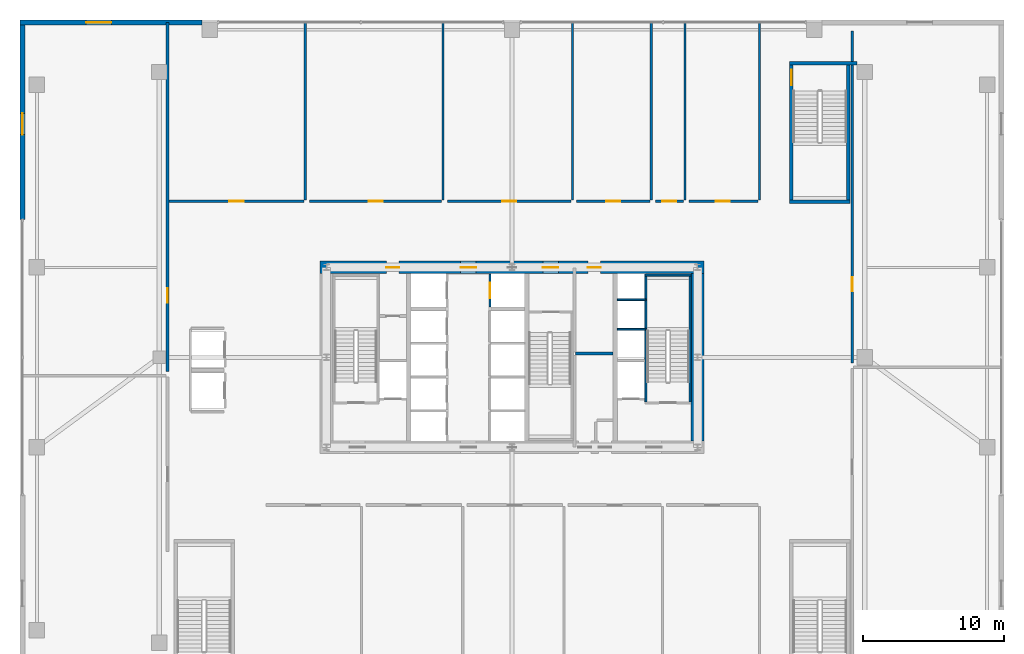
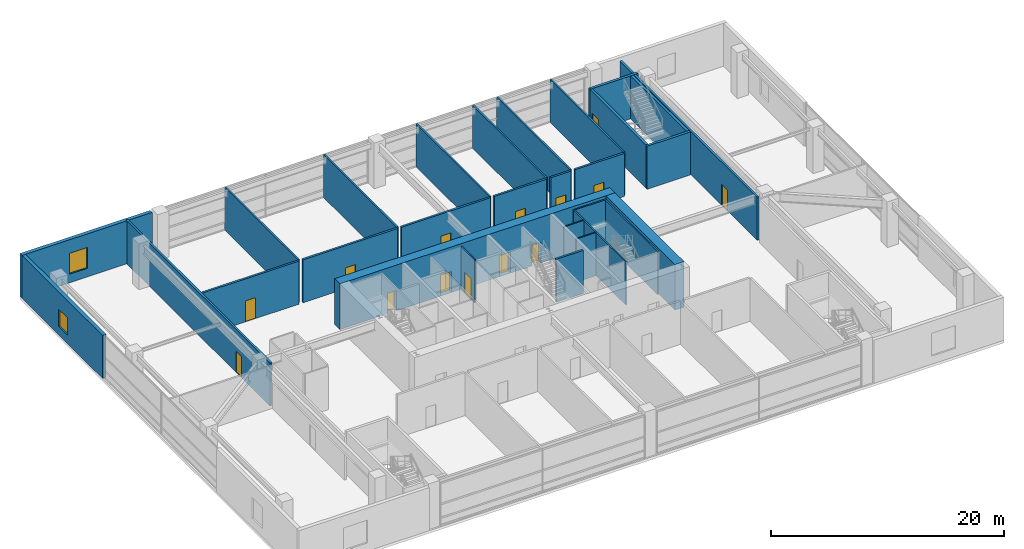
# One storey, part 35 of 39: 29 walls, 14 doors, 2 windows, 16 openings.
"""IFC4 building model written with IfcOpenShell, lengths in metres."""

from ifc_helpers import new_model, si_unit, direction, frame, frame_2d, origin, place, context, subcontext, project, spatial, rectangle, extrude, source, transform, mapped, material, layer, layer_set, type_object, element, fill, save


model = new_model("IFC4")

# Units and contexts
model_context = context("Model", 3, precision=1e-05, world=origin(), true_north=direction((0.0, 1.0)))
body_context = subcontext(model_context, "Body", "Model", "MODEL_VIEW")
ifc_project = project(units=[si_unit("LENGTHUNIT", "METRE"), si_unit("AREAUNIT", "SQUARE_METRE"), si_unit("VOLUMEUNIT", "CUBIC_METRE"), si_unit("PLANEANGLEUNIT", "RADIAN"), si_unit("MASSUNIT", "GRAM", prefix="KILO"), si_unit("THERMODYNAMICTEMPERATUREUNIT", "KELVIN"), si_unit("POWERUNIT", "WATT")], contexts=[model_context])

# Site, building, storey
site_placement = place(None, origin())
site = spatial("IfcSite", under=ifc_project, at=site_placement, CompositionType="ELEMENT")
building_placement = place(site_placement, origin())
building = spatial("IfcBuilding", under=site, at=building_placement, Name="Yuzanri Waterfront Tower", CompositionType="ELEMENT")
storey_placement = place(building_placement, frame((0.0, 0.0, 15.0)))
storey = spatial("IfcBuildingStorey", under=building, at=storey_placement, Name="L04", CompositionType="ELEMENT", Elevation=15.0)

# Wall, openings, doors
ifc_material_1 = material(Name="Concrete C60", Category="concrete")
ifc_layer_1 = layer(ifc_material_1, 0.89990234375)
ifc_layer_set_1 = layer_set([ifc_layer_1], Name="Concrete C60")
wall_type_1 = type_object("IfcWallType", Name="Concrete C60 Lower Zone Core Shear Wall 900", PredefinedType="SHEAR", material=ifc_layer_set_1)
wall_1_placement = place(storey_placement, frame((23.35009765625, 32.199951171875, 0.0), z_axis=(0.0, 0.0, 1.0), x_axis=(1.0, 0.0, 0.0)))
wall_1 = element("IfcWall", 1, at=wall_1_placement, inside=storey, type_object=wall_type_1, Name="L04 Core North Shear Wall", PredefinedType="SHEAR", context=body_context, shape_type="SweptSolid", body=[
    extrude(rectangle(XDim=27.2998046875, YDim=0.89990234375, at=frame_2d((13.64990234375, 0.0))), origin(), (0.0, 0.0, 1.0), 4.800048828125),
])
opening_1_placement = place(wall_1_placement, frame((4.719970703125, 0.0, 0.0)))
opening_1 = element("IfcOpeningElement", 2, at=opening_1_placement, cuts=wall_1, Name="Opening FD-0900", PredefinedType="OPENING", context=body_context, shape_type="SweptSolid", body=[
    extrude(rectangle(XDim=0.89990234375, YDim=2.14990234375, at=frame_2d((0.449951171875, 1.074951171875))), frame((0.0, 0.46484375, 0.0), z_axis=(0.0, -1.0, 0.0), x_axis=(1.0, 0.0, 0.0)), (0.0, 0.0, 1.0), 0.9296875),
])
opening_2_placement = place(wall_1_placement, frame((10.0, 0.0, 0.0)))
opening_2 = element("IfcOpeningElement", 3, at=opening_2_placement, cuts=wall_1, Name="Opening FD-1100", PredefinedType="OPENING", context=body_context, shape_type="SweptSolid", body=[
    extrude(rectangle(XDim=1.10009765625, YDim=2.199951171875, at=frame_2d((0.550048828125, 1.10009765625))), frame((0.0, 0.46484375, 0.0), z_axis=(0.0, -1.0, 0.0), x_axis=(1.0, 0.0, 0.0)), (0.0, 0.0, 1.0), 0.9296875),
])
opening_3_placement = place(wall_1_placement, frame((15.85009765625, 0.0, 0.0)))
opening_3 = element("IfcOpeningElement", 4, at=opening_3_placement, cuts=wall_1, Name="Opening FD-1100", PredefinedType="OPENING", context=body_context, shape_type="SweptSolid", body=[
    extrude(rectangle(XDim=1.10009765625, YDim=2.199951171875, at=frame_2d((0.550048828125, 1.10009765625))), frame((0.0, 0.46484375, 0.0), z_axis=(0.0, -1.0, 0.0), x_axis=(1.0, 0.0, 0.0)), (0.0, 0.0, 1.0), 0.9296875),
])
opening_4_placement = place(wall_1_placement, frame((19.050048828125, 0.0, 0.0)))
opening_4 = element("IfcOpeningElement", 5, at=opening_4_placement, cuts=wall_1, Name="Opening FD-0900", PredefinedType="OPENING", context=body_context, shape_type="SweptSolid", body=[
    extrude(rectangle(XDim=0.89990234375, YDim=2.14990234375, at=frame_2d((0.449951171875, 1.074951171875))), frame((0.0, 0.46484375, 0.0), z_axis=(0.0, -1.0, 0.0), x_axis=(1.0, 0.0, 0.0)), (0.0, 0.0, 1.0), 0.9296875),
])
ifc_material_2 = material(Name="Painted Galvanized Fire Steel", Category="steel")
door_type_1 = type_object("IfcDoorType", Name="Smoke-Proof Stair and Lobby Fire Door 1100x2200", OperationType="NOTDEFINED", PredefinedType="DOOR", material=ifc_material_2)
shared_shape_1 = source(origin(), body_context, "Body", "SweptSolid", [
    extrude(rectangle(XDim=1.10009765625, YDim=2.199951171875, at=frame_2d((0.550048828125, 1.10009765625))), frame((0.0, 0.02490234375, 0.0), z_axis=(0.0, -1.0, 0.0), x_axis=(1.0, 0.0, 0.0)), (0.0, 0.0, 1.0), 0.050048828125),
])
door_1_placement = place(opening_2_placement, origin())
door_1 = element("IfcDoor", 6, at=door_1_placement, inside=storey, type_object=door_type_1, Name="L04 Central Lift Lobby North Door", OperationType="SINGLE_SWING_LEFT", OverallHeight=2.199951171875, OverallWidth=1.10009765625, PredefinedType="DOOR", context=body_context, shape_type="MappedRepresentation", body=[
    mapped(shared_shape_1, transform((0.0, 0.0, 0.0), scale=1.0)),
])
fill(opening_2, door_1)
door_2_placement = place(opening_3_placement, origin())
door_2 = element("IfcDoor", 7, at=door_2_placement, inside=storey, type_object=door_type_1, Name="L04 North Stair Lobby Door", OperationType="SINGLE_SWING_RIGHT", OverallHeight=2.199951171875, OverallWidth=1.10009765625, PredefinedType="DOOR", context=body_context, shape_type="MappedRepresentation", body=[
    mapped(shared_shape_1, transform((0.0, 0.0, 0.0), scale=1.0)),
])
fill(opening_3, door_2)
ifc_material_3 = material(Name="Painted Galvanized Fire Steel", Category="steel")
door_type_2 = type_object("IfcDoorType", Name="Riser and Service Room Fire Door 900x2150", OperationType="NOTDEFINED", PredefinedType="DOOR", material=ifc_material_3)
shared_shape_2 = source(origin(), body_context, "Body", "SweptSolid", [
    extrude(rectangle(XDim=0.89990234375, YDim=2.14990234375, at=frame_2d((0.449951171875, 1.074951171875))), frame((0.0, 0.02490234375, 0.0), z_axis=(0.0, -1.0, 0.0), x_axis=(1.0, 0.0, 0.0)), (0.0, 0.0, 1.0), 0.050048828125),
])
door_3_placement = place(opening_1_placement, origin())
door_3 = element("IfcDoor", 8, at=door_3_placement, inside=storey, type_object=door_type_2, Name="L04 Telecom Riser Door", OperationType="SINGLE_SWING_RIGHT", OverallHeight=2.14990234375, OverallWidth=0.89990234375, PredefinedType="DOOR", context=body_context, shape_type="MappedRepresentation", body=[
    mapped(shared_shape_2, transform((0.0, 0.0, 0.0), scale=1.0)),
])
fill(opening_1, door_3)
door_4_placement = place(opening_4_placement, origin())
door_4 = element("IfcDoor", 9, at=door_4_placement, inside=storey, type_object=door_type_2, Name="L04 Cleaners Store Room", OperationType="SINGLE_SWING_RIGHT", OverallHeight=2.14990234375, OverallWidth=0.89990234375, PredefinedType="DOOR", context=body_context, shape_type="MappedRepresentation", body=[
    mapped(shared_shape_2, transform((0.0, 0.0, 0.0), scale=1.0)),
])
fill(opening_4, door_4)

# Wall, opening, door
ifc_material_4 = material(Name="Concrete C40", Category="concrete")
ifc_layer_2 = layer(ifc_material_4, 0.139892578125)
ifc_layer_set_2 = layer_set([ifc_layer_2], Name="Concrete C40")
wall_type_2 = type_object("IfcWallType", Name="Core Stair Liner and Hoistway Shaft Wall 140", PredefinedType="SOLIDWALL", material=ifc_layer_set_2)
wall_2_placement = place(storey_placement, frame((35.429931640625, 29.39990234375, 0.0), z_axis=(0.0, 0.0, 1.0), x_axis=(0.0, 1.0, 0.0)))
wall_2 = element("IfcWall", 10, at=wall_2_placement, inside=storey, type_object=wall_type_2, Name="L04 Lift SL-02 Front Shaft Wall", PredefinedType="SOLIDWALL", context=body_context, shape_type="SweptSolid", body=[
    extrude(rectangle(XDim=2.340087890625, YDim=0.139892578125, at=frame_2d((1.169921875, 0.0))), origin(), (0.0, 0.0, 1.0), 4.52001953125),
])
opening_5_placement = place(wall_2_placement, frame((0.6201171875, 0.0, 0.0)))
opening_5 = element("IfcOpeningElement", 11, at=opening_5_placement, cuts=wall_2, Name="Opening LD-SL-02", PredefinedType="OPENING", context=body_context, shape_type="SweptSolid", body=[
    extrude(rectangle(XDim=1.10009765625, YDim=2.199951171875, at=frame_2d((0.550048828125, 1.10009765625))), frame((0.0, 0.0849609375, 0.0), z_axis=(0.0, -1.0, 0.0), x_axis=(1.0, 0.0, 0.0)), (0.0, 0.0, 1.0), 0.169677734375),
])
ifc_material_5 = material(Name="Brushed Bronze and Stainless Steel Cab", Category="steel")
door_type_3 = type_object("IfcDoorType", Name="Center-Parting Bronze Lift Landing Sliding Door 1100x2200", OperationType="NOTDEFINED", PredefinedType="DOOR", material=ifc_material_5)
shared_shape_3 = source(origin(), body_context, "Body", "SweptSolid", [
    extrude(rectangle(XDim=1.10009765625, YDim=2.199951171875, at=frame_2d((0.550048828125, 1.10009765625))), frame((0.0, 0.02490234375, 0.0), z_axis=(0.0, -1.0, 0.0), x_axis=(1.0, 0.0, 0.0)), (0.0, 0.0, 1.0), 0.050048828125),
])
door_5_placement = place(opening_5_placement, origin())
door_5 = element("IfcDoor", 12, at=door_5_placement, inside=storey, type_object=door_type_3, Name="L04 SL-02 Lift Landing Sliding Door", OperationType="SLIDING_TO_RIGHT", OverallHeight=2.199951171875, OverallWidth=1.10009765625, PredefinedType="DOOR", context=body_context, shape_type="MappedRepresentation", body=[
    mapped(shared_shape_3, transform((0.0, 0.0, 0.0), scale=1.0)),
])
fill(opening_5, door_5)

ifc_material_6 = material(Name="Autoclaved Aerated Concrete Blockwork", Category="masonry")
ifc_layer_3 = layer(ifc_material_6, 0.199951171875)
ifc_layer_set_3 = layer_set([ifc_layer_3], Name="Autoclaved Aerated Concrete Blockwork")
wall_type_3 = type_object("IfcWallType", Name="Corridor and Unit Party Fire Wall 200", PredefinedType="PARTITIONING", material=ifc_layer_set_3)
wall_3_placement = place(storey_placement, frame((12.5, 24.800048828125, 0.0), z_axis=(0.0, 0.0, 1.0), x_axis=(0.0, 1.0, 0.0)))
wall_3 = element("IfcWall", 13, at=wall_3_placement, inside=storey, type_object=wall_type_3, Name="L04 Partition PRW-L04-032-E", PredefinedType="PARTITIONING", context=body_context, shape_type="SweptSolid", body=[
    extrude(rectangle(XDim=24.820068359375, YDim=0.199951171875, at=frame_2d((12.41015625, 0.0))), origin(), (0.0, 0.0, 1.0), 4.52001953125),
])
opening_6_placement = place(wall_3_placement, frame((4.89990234375, 0.0, 0.0)))
opening_6 = element("IfcOpeningElement", 14, at=opening_6_placement, cuts=wall_3, Name="Opening FD-1000", PredefinedType="OPENING", context=body_context, shape_type="SweptSolid", body=[
    extrude(rectangle(XDim=1.0, YDim=2.199951171875, at=frame_2d((0.5, 1.10009765625))), frame((0.0, 0.11474609375, 0.0), z_axis=(0.0, -1.0, 0.0), x_axis=(1.0, 0.0, 0.0)), (0.0, 0.0, 1.0), 0.229736328125),
])
ifc_material_7 = material(Name="Engineered Oak Fire-Rated Timber", Category="wood")
door_type_4 = type_object("IfcDoorType", Name="Guestroom and Apartment Entrance Fire Door 1000x2200", OperationType="NOTDEFINED", PredefinedType="DOOR", material=ifc_material_7)
shared_shape_4 = source(origin(), body_context, "Body", "SweptSolid", [
    extrude(rectangle(XDim=1.0, YDim=2.199951171875, at=frame_2d((0.5, 1.10009765625))), frame((0.0, 0.02490234375, 0.0), z_axis=(0.0, -1.0, 0.0), x_axis=(1.0, 0.0, 0.0)), (0.0, 0.0, 1.0), 0.050048828125),
])
door_6_placement = place(opening_6_placement, origin())
door_6 = element("IfcDoor", 15, at=door_6_placement, inside=storey, type_object=door_type_4, Name="L04 Thermal Spa Club Room", OperationType="SINGLE_SWING_LEFT", OverallHeight=2.199951171875, OverallWidth=1.0, PredefinedType="DOOR", context=body_context, shape_type="MappedRepresentation", body=[
    mapped(shared_shape_4, transform((0.0, 0.0, 0.0), scale=1.0)),
])
fill(opening_6, door_6)

wall_4_placement = place(storey_placement, frame((61.199951171875, 25.39990234375, 0.0), z_axis=(0.0, 0.0, 1.0), x_axis=(0.0, 1.0, 0.0)))
wall_4 = element("IfcWall", 16, at=wall_4_placement, inside=storey, type_object=wall_type_3, Name="L04 Partition PRW-L04-034-W", PredefinedType="PARTITIONING", context=body_context, shape_type="SweptSolid", body=[
    extrude(rectangle(XDim=23.60009765625, YDim=0.199951171875, at=frame_2d((11.800048828125, 0.0))), origin(), (0.0, 0.0, 1.0), 4.52001953125),
])
opening_7_placement = place(wall_4_placement, frame((5.10009765625, 0.0, 0.0)))
opening_7 = element("IfcOpeningElement", 17, at=opening_7_placement, cuts=wall_4, Name="Opening FD-1000", PredefinedType="OPENING", context=body_context, shape_type="SweptSolid", body=[
    extrude(rectangle(XDim=1.0, YDim=2.199951171875, at=frame_2d((0.5, 1.10009765625))), frame((0.0, 0.11474609375, 0.0), z_axis=(0.0, -1.0, 0.0), x_axis=(1.0, 0.0, 0.0)), (0.0, 0.0, 1.0), 0.229736328125),
])
door_7_placement = place(opening_7_placement, origin())
door_7 = element("IfcDoor", 18, at=door_7_placement, inside=storey, type_object=door_type_4, Name="L04 Cardio Fitness Gymnasium", OperationType="SINGLE_SWING_LEFT", OverallHeight=2.199951171875, OverallWidth=1.0, PredefinedType="DOOR", context=body_context, shape_type="MappedRepresentation", body=[
    mapped(shared_shape_4, transform((0.0, 0.0, 0.0), scale=1.0)),
])
fill(opening_7, door_7)

wall_5_placement = place(storey_placement, frame((12.60009765625, 36.89990234375, 0.0), z_axis=(0.0, 0.0, 1.0), x_axis=(1.0, 0.0, 0.0)))
wall_5 = element("IfcWall", 19, at=wall_5_placement, inside=storey, type_object=wall_type_3, Name="L04 Partition PRW-L04-035-S", PredefinedType="PARTITIONING", context=body_context, shape_type="SweptSolid", body=[
    extrude(rectangle(XDim=9.599853515625, YDim=0.199951171875, at=frame_2d((4.7998046875, 0.0))), origin(), (0.0, 0.0, 1.0), 4.52001953125),
])
opening_8_placement = place(wall_5_placement, frame((4.300048828125, 0.0, 0.0)))
opening_8 = element("IfcOpeningElement", 20, at=opening_8_placement, cuts=wall_5, Name="Opening FD-1000", PredefinedType="OPENING", context=body_context, shape_type="SweptSolid", body=[
    extrude(rectangle(XDim=1.0, YDim=2.199951171875, at=frame_2d((0.5, 1.10009765625))), frame((0.0, 0.11474609375, 0.0), z_axis=(0.0, -1.0, 0.0), x_axis=(1.0, 0.0, 0.0)), (0.0, 0.0, 1.0), 0.229736328125),
])
door_8_placement = place(opening_8_placement, origin())
door_8 = element("IfcDoor", 21, at=door_8_placement, inside=storey, type_object=door_type_4, Name="L04 Botanical Massage Treatment Room 1", OperationType="SINGLE_SWING_RIGHT", OverallHeight=2.199951171875, OverallWidth=1.0, PredefinedType="DOOR", context=body_context, shape_type="MappedRepresentation", body=[
    mapped(shared_shape_4, transform((0.0, 0.0, 0.0), scale=1.0)),
])
fill(opening_8, door_8)

wall_6_placement = place(storey_placement, frame((22.60009765625, 36.89990234375, 0.0), z_axis=(0.0, 0.0, 1.0), x_axis=(1.0, 0.0, 0.0)))
wall_6 = element("IfcWall", 22, at=wall_6_placement, inside=storey, type_object=wall_type_3, Name="L04 Partition PRW-L04-036-S", PredefinedType="PARTITIONING", context=body_context, shape_type="SweptSolid", body=[
    extrude(rectangle(XDim=9.39990234375, YDim=0.199951171875, at=frame_2d((4.699951171875, 0.0))), origin(), (0.0, 0.0, 1.0), 4.52001953125),
])
opening_9_placement = place(wall_6_placement, frame((4.199951171875, 0.0, 0.0)))
opening_9 = element("IfcOpeningElement", 23, at=opening_9_placement, cuts=wall_6, Name="Opening FD-1000", PredefinedType="OPENING", context=body_context, shape_type="SweptSolid", body=[
    extrude(rectangle(XDim=1.0, YDim=2.199951171875, at=frame_2d((0.5, 1.10009765625))), frame((0.0, 0.11474609375, 0.0), z_axis=(0.0, -1.0, 0.0), x_axis=(1.0, 0.0, 0.0)), (0.0, 0.0, 1.0), 0.229736328125),
])
door_9_placement = place(opening_9_placement, origin())
door_9 = element("IfcDoor", 24, at=door_9_placement, inside=storey, type_object=door_type_4, Name="L04 Botanical Massage Treatment Room 2", OperationType="SINGLE_SWING_LEFT", OverallHeight=2.199951171875, OverallWidth=1.0, PredefinedType="DOOR", context=body_context, shape_type="MappedRepresentation", body=[
    mapped(shared_shape_4, transform((0.0, 0.0, 0.0), scale=1.0)),
])
fill(opening_9, door_9)

wall_7_placement = place(storey_placement, frame((32.39990234375, 36.89990234375, 0.0), z_axis=(0.0, 0.0, 1.0), x_axis=(1.0, 0.0, 0.0)))
wall_7 = element("IfcWall", 25, at=wall_7_placement, inside=storey, type_object=wall_type_3, Name="L04 Partition PRW-L04-037-S", PredefinedType="PARTITIONING", context=body_context, shape_type="SweptSolid", body=[
    extrude(rectangle(XDim=8.800048828125, YDim=0.199951171875, at=frame_2d((4.39990234375, 0.0))), origin(), (0.0, 0.0, 1.0), 4.52001953125),
])
opening_10_placement = place(wall_7_placement, frame((3.89990234375, 0.0, 0.0)))
opening_10 = element("IfcOpeningElement", 26, at=opening_10_placement, cuts=wall_7, Name="Opening FD-1000", PredefinedType="OPENING", context=body_context, shape_type="SweptSolid", body=[
    extrude(rectangle(XDim=1.0, YDim=2.199951171875, at=frame_2d((0.5, 1.10009765625))), frame((0.0, 0.11474609375, 0.0), z_axis=(0.0, -1.0, 0.0), x_axis=(1.0, 0.0, 0.0)), (0.0, 0.0, 1.0), 0.229736328125),
])
door_10_placement = place(opening_10_placement, origin())
door_10 = element("IfcDoor", 27, at=door_10_placement, inside=storey, type_object=door_type_4, Name="L04 Acupressure Treatment Room 3", OperationType="SINGLE_SWING_RIGHT", OverallHeight=2.199951171875, OverallWidth=1.0, PredefinedType="DOOR", context=body_context, shape_type="MappedRepresentation", body=[
    mapped(shared_shape_4, transform((0.0, 0.0, 0.0), scale=1.0)),
])
fill(opening_10, door_10)

wall_8_placement = place(storey_placement, frame((41.60009765625, 36.89990234375, 0.0), z_axis=(0.0, 0.0, 1.0), x_axis=(1.0, 0.0, 0.0)))
wall_8 = element("IfcWall", 28, at=wall_8_placement, inside=storey, type_object=wall_type_3, Name="L04 Partition PRW-L04-038-S", PredefinedType="PARTITIONING", context=body_context, shape_type="SweptSolid", body=[
    extrude(rectangle(XDim=5.199951171875, YDim=0.199951171875, at=frame_2d((2.60009765625, 0.0))), origin(), (0.0, 0.0, 1.0), 4.52001953125),
])
opening_11_placement = place(wall_8_placement, frame((2.10009765625, 0.0, 0.0)))
opening_11 = element("IfcOpeningElement", 29, at=opening_11_placement, cuts=wall_8, Name="Opening FD-1000", PredefinedType="OPENING", context=body_context, shape_type="SweptSolid", body=[
    extrude(rectangle(XDim=1.0, YDim=2.199951171875, at=frame_2d((0.5, 1.10009765625))), frame((0.0, 0.11474609375, 0.0), z_axis=(0.0, -1.0, 0.0), x_axis=(1.0, 0.0, 0.0)), (0.0, 0.0, 1.0), 0.229736328125),
])
door_11_placement = place(opening_11_placement, origin())
door_11 = element("IfcDoor", 30, at=door_11_placement, inside=storey, type_object=door_type_4, Name="L04 Public Restroom", OperationType="SINGLE_SWING_LEFT", OverallHeight=2.199951171875, OverallWidth=1.0, PredefinedType="DOOR", context=body_context, shape_type="MappedRepresentation", body=[
    mapped(shared_shape_4, transform((0.0, 0.0, 0.0), scale=1.0)),
])
fill(opening_11, door_11)

wall_9_placement = place(storey_placement, frame((47.199951171875, 36.89990234375, 0.0), z_axis=(0.0, 0.0, 1.0), x_axis=(1.0, 0.0, 0.0)))
wall_9 = element("IfcWall", 31, at=wall_9_placement, inside=storey, type_object=wall_type_3, Name="L04 Partition PRW-L04-039-S", PredefinedType="PARTITIONING", context=body_context, shape_type="SweptSolid", body=[
    extrude(rectangle(XDim=2.0, YDim=0.199951171875, at=frame_2d((1.0, 0.0))), origin(), (0.0, 0.0, 1.0), 4.52001953125),
])
opening_12_placement = place(wall_9_placement, frame((0.5, 0.0, 0.0)))
opening_12 = element("IfcOpeningElement", 32, at=opening_12_placement, cuts=wall_9, Name="Opening FD-1000", PredefinedType="OPENING", context=body_context, shape_type="SweptSolid", body=[
    extrude(rectangle(XDim=1.0, YDim=2.199951171875, at=frame_2d((0.5, 1.10009765625))), frame((0.0, 0.11474609375, 0.0), z_axis=(0.0, -1.0, 0.0), x_axis=(1.0, 0.0, 0.0)), (0.0, 0.0, 1.0), 0.229736328125),
])
door_12_placement = place(opening_12_placement, origin())
door_12 = element("IfcDoor", 33, at=door_12_placement, inside=storey, type_object=door_type_4, Name="L04 Accessible WC", OperationType="SINGLE_SWING_RIGHT", OverallHeight=2.199951171875, OverallWidth=1.0, PredefinedType="DOOR", context=body_context, shape_type="MappedRepresentation", body=[
    mapped(shared_shape_4, transform((0.0, 0.0, 0.0), scale=1.0)),
])
fill(opening_12, door_12)

wall_10_placement = place(storey_placement, frame((49.60009765625, 36.89990234375, 0.0), z_axis=(0.0, 0.0, 1.0), x_axis=(1.0, 0.0, 0.0)))
wall_10 = element("IfcWall", 34, at=wall_10_placement, inside=storey, type_object=wall_type_3, Name="L04 Partition PRW-L04-040-S", PredefinedType="PARTITIONING", context=body_context, shape_type="SweptSolid", body=[
    extrude(rectangle(XDim=4.89990234375, YDim=0.199951171875, at=frame_2d((2.449951171875, 0.0))), origin(), (0.0, 0.0, 1.0), 4.52001953125),
])
opening_13_placement = place(wall_10_placement, frame((1.89990234375, 0.0, 0.0)))
opening_13 = element("IfcOpeningElement", 35, at=opening_13_placement, cuts=wall_10, Name="Opening FD-1000", PredefinedType="OPENING", context=body_context, shape_type="SweptSolid", body=[
    extrude(rectangle(XDim=1.0, YDim=2.199951171875, at=frame_2d((0.5, 1.10009765625))), frame((0.0, 0.11474609375, 0.0), z_axis=(0.0, -1.0, 0.0), x_axis=(1.0, 0.0, 0.0)), (0.0, 0.0, 1.0), 0.229736328125),
])
door_13_placement = place(opening_13_placement, origin())
door_13 = element("IfcDoor", 36, at=door_13_placement, inside=storey, type_object=door_type_4, Name="L04 Spa Linen Store", OperationType="SINGLE_SWING_LEFT", OverallHeight=2.199951171875, OverallWidth=1.0, PredefinedType="DOOR", context=body_context, shape_type="MappedRepresentation", body=[
    mapped(shared_shape_4, transform((0.0, 0.0, 0.0), scale=1.0)),
])
fill(opening_13, door_13)

# Wall, opening, window
ifc_material_8 = material(Name="Honed Chongqing Dark Basalt Stone", Category="masonry")
ifc_layer_4 = layer(ifc_material_8, 0.360107421875)
ifc_layer_set_4 = layer_set([ifc_layer_4], Name="Honed Chongqing Dark Basalt Stone")
wall_type_4 = type_object("IfcWallType", Name="Honed Basalt Stone Masonry-Frame Spandrel Wall 360", PredefinedType="SOLIDWALL", material=ifc_layer_set_4)
wall_11_placement = place(storey_placement, frame((2.0, 49.6201171875, 0.0), z_axis=(0.0, 0.0, 1.0), x_axis=(1.0, 0.0, 0.0)))
wall_11 = element("IfcWall", 37, at=wall_11_placement, inside=storey, type_object=wall_type_4, Name="L04 North-West Basalt Wall", PredefinedType="SOLIDWALL", context=body_context, shape_type="SweptSolid", body=[
    extrude(rectangle(XDim=12.929931640625, YDim=0.360107421875, at=frame_2d((6.46484375, 0.0))), origin(), (0.0, 0.0, 1.0), 4.52001953125),
])
opening_14_placement = place(wall_11_placement, frame((4.699951171875, 0.0, 0.89990234375)))
opening_14 = element("IfcOpeningElement", 38, at=opening_14_placement, cuts=wall_11, Name="Opening WN-01", PredefinedType="OPENING", context=body_context, shape_type="SweptSolid", body=[
    extrude(rectangle(XDim=1.800048828125, YDim=2.199951171875, at=frame_2d((0.89990234375, 1.10009765625))), frame((0.0, 0.19482421875, 0.0), z_axis=(0.0, -1.0, 0.0), x_axis=(1.0, 0.0, 0.0)), (0.0, 0.0, 1.0), 0.389892578125),
])
ifc_material_9 = material(Name="Double-Silver Low-E Insulated Glass", Category="glass")
window_type_1 = type_object("IfcWindowType", Name="Anodized Bronze Recessed Bronze Frame Double Casement Window 1800x2200", PartitioningType="SINGLE_PANEL", PredefinedType="WINDOW", material=ifc_material_9)
shared_shape_5 = source(origin(), body_context, "Body", "SweptSolid", [
    extrude(rectangle(XDim=1.800048828125, YDim=2.199951171875, at=frame_2d((0.89990234375, 1.10009765625))), frame((0.0, 0.030029296875, 0.0), z_axis=(0.0, -1.0, 0.0), x_axis=(1.0, 0.0, 0.0)), (0.0, 0.0, 1.0), 0.06005859375),
])
window_1_placement = place(opening_14_placement, origin())
window_1 = element("IfcWindow", 39, at=window_1_placement, inside=storey, type_object=window_type_1, Name="L04 NW Casement Window", OverallHeight=2.199951171875, OverallWidth=1.800048828125, PartitioningType="SINGLE_PANEL", PredefinedType="WINDOW", context=body_context, shape_type="MappedRepresentation", body=[
    mapped(shared_shape_5, transform((0.0, 0.0, 0.0), scale=1.0)),
])
fill(opening_14, window_1)

wall_12_placement = place(storey_placement, frame((2.179931640625, 35.60009765625, 0.0), z_axis=(0.0, 0.0, 1.0), x_axis=(0.0, 1.0, 0.0)))
wall_12 = element("IfcWall", 40, at=wall_12_placement, inside=storey, type_object=wall_type_4, Name="L04 W North Basalt Pier", PredefinedType="SOLIDWALL", context=body_context, shape_type="SweptSolid", body=[
    extrude(rectangle(XDim=13.83984375, YDim=0.360107421875, at=frame_2d((6.919921875, 0.0))), origin(), (0.0, 0.0, 1.0), 4.52001953125),
])
opening_15_placement = place(wall_12_placement, frame((6.050048828125, 0.0, 0.89990234375)))
opening_15 = element("IfcOpeningElement", 41, at=opening_15_placement, cuts=wall_12, Name="Opening WN-04", PredefinedType="OPENING", context=body_context, shape_type="SweptSolid", body=[
    extrude(rectangle(XDim=1.5, YDim=1.800048828125, at=frame_2d((0.75, 0.89990234375))), frame((0.0, 0.19482421875, 0.0), z_axis=(0.0, -1.0, 0.0), x_axis=(1.0, 0.0, 0.0)), (0.0, 0.0, 1.0), 0.389892578125),
])
ifc_material_10 = material(Name="Double-Silver Low-E Insulated Glass", Category="glass")
window_type_2 = type_object("IfcWindowType", Name="Anodized Bronze Suite Operable Tilt-Turn Window 1500x1800", PartitioningType="SINGLE_PANEL", PredefinedType="WINDOW", material=ifc_material_10)
shared_shape_6 = source(origin(), body_context, "Body", "SweptSolid", [
    extrude(rectangle(XDim=1.5, YDim=1.800048828125, at=frame_2d((0.75, 0.89990234375))), frame((0.0, 0.030029296875, 0.0), z_axis=(0.0, -1.0, 0.0), x_axis=(1.0, 0.0, 0.0)), (0.0, 0.0, 1.0), 0.06005859375),
])
window_2_placement = place(opening_15_placement, origin())
window_2 = element("IfcWindow", 42, at=window_2_placement, inside=storey, type_object=window_type_2, Name="L04 WN Window", OverallHeight=1.800048828125, OverallWidth=1.5, PartitioningType="SINGLE_PANEL", PredefinedType="WINDOW", context=body_context, shape_type="MappedRepresentation", body=[
    mapped(shared_shape_6, transform((0.0, 0.0, 0.0), scale=1.0)),
])
fill(opening_15, window_2)

# Wall, opening, door
ifc_material_11 = material(Name="Concrete C40", Category="concrete")
ifc_layer_5 = layer(ifc_material_11, 0.25)
ifc_layer_set_5 = layer_set([ifc_layer_5], Name="Concrete C40")
wall_type_5 = type_object("IfcWallType", Name="Smoke-Proof Stair and Lift Shaft Wall 250", PredefinedType="SOLIDWALL", material=ifc_layer_set_5)
wall_13_placement = place(storey_placement, frame((56.875, 37.0, 0.0), z_axis=(0.0, 0.0, 1.0), x_axis=(0.0, 1.0, 0.0)))
wall_13 = element("IfcWall", 43, at=wall_13_placement, inside=storey, type_object=wall_type_5, Name="L04 Shaft Wall PSTW-L04-PST-03-W", PredefinedType="SOLIDWALL", context=body_context, shape_type="SweptSolid", body=[
    extrude(rectangle(XDim=9.60009765625, YDim=0.25, at=frame_2d((4.800048828125, 0.0))), origin(), (0.0, 0.0, 1.0), 4.52001953125),
])
opening_16_placement = place(wall_13_placement, frame((8.14990234375, 0.0, 0.0)))
opening_16 = element("IfcOpeningElement", 44, at=opening_16_placement, cuts=wall_13, Name="Opening FD-1100", PredefinedType="OPENING", context=body_context, shape_type="SweptSolid", body=[
    extrude(rectangle(XDim=1.10009765625, YDim=2.199951171875, at=frame_2d((0.550048828125, 1.10009765625))), frame((0.0, 0.139892578125, 0.0), z_axis=(0.0, -1.0, 0.0), x_axis=(1.0, 0.0, 0.0)), (0.0, 0.0, 1.0), 0.27978515625),
])
door_14_placement = place(opening_16_placement, origin())
door_14 = element("IfcDoor", 45, at=door_14_placement, inside=storey, type_object=door_type_1, Name="L04 PST-03 Stair Door", OperationType="SINGLE_SWING_RIGHT", OverallHeight=2.199951171875, OverallWidth=1.10009765625, PredefinedType="DOOR", context=body_context, shape_type="MappedRepresentation", body=[
    mapped(shared_shape_1, transform((0.0, 0.0, 0.0), scale=1.0)),
])
fill(opening_16, door_14)

# Walls
shared_shape_7 = source(origin(), body_context, "Body", "SweptSolid", [
    extrude(rectangle(XDim=11.89990234375, YDim=0.89990234375, at=frame_2d((5.949951171875, 0.0))), origin(), (0.0, 0.0, 1.0), 4.800048828125),
])
wall_14_placement = place(storey_placement, frame((50.199951171875, 19.85009765625, 0.0), z_axis=(0.0, 0.0, 1.0), x_axis=(0.0, 1.0, 0.0)))
element("IfcWall", 46, at=wall_14_placement, inside=storey, type_object=wall_type_1, Name="L04 Core East Shear Wall", PredefinedType="SHEAR", context=body_context, shape_type="MappedRepresentation", body=[
    mapped(shared_shape_7, transform((0.0, 0.0, 0.0), scale=1.0)),
])
shared_shape_8 = source(origin(), body_context, "Body", "SweptSolid", [
    extrude(rectangle(XDim=2.0, YDim=0.139892578125, at=frame_2d((1.0, 0.0))), origin(), (0.0, 0.0, 1.0), 4.52001953125),
])
for number, where, z_axis, x_axis, name in (
    (47, (44.5, 27.800048828125, 0.0), (0.0, 0.0, 1.0), (1.0, 0.0, 0.0), "L04 Lift PL-09 Divider Wall"),
    (48, (44.5, 29.89990234375, 0.0), (0.0, 0.0, 1.0), (1.0, 0.0, 0.0), "L04 Lift PL-10 Divider Wall"),
):
    element("IfcWall", number, at=place(storey_placement, frame(where, z_axis=z_axis, x_axis=x_axis)), inside=storey, type_object=wall_type_2, Name=name, PredefinedType="SOLIDWALL", context=body_context, shape_type="MappedRepresentation", body=[
        mapped(shared_shape_8, transform((0.0, 0.0, 0.0), scale=1.0)),
    ])
shared_shape_9 = source(origin(), body_context, "Body", "SweptSolid", [
    extrude(rectangle(XDim=3.280029296875, YDim=0.139892578125, at=frame_2d((1.64013671875, 0.0))), origin(), (0.0, 0.0, 1.0), 4.52001953125),
])
wall_15_placement = place(storey_placement, frame((46.4599609375, 31.64990234375, 0.0), z_axis=(0.0, 0.0, 1.0), x_axis=(1.0, 0.0, 0.0)))
element("IfcWall", 49, at=wall_15_placement, inside=storey, type_object=wall_type_2, Name="L04 Stair ST-02 North Shaft Wall", PredefinedType="SOLIDWALL", context=body_context, shape_type="MappedRepresentation", body=[
    mapped(shared_shape_9, transform((0.0, 0.0, 0.0), scale=1.0)),
])
shared_shape_10 = source(origin(), body_context, "Body", "SweptSolid", [
    extrude(rectangle(XDim=8.940185546875, YDim=0.139892578125, at=frame_2d((4.47021484375, 0.0))), origin(), (0.0, 0.0, 1.0), 4.52001953125),
])
for number, where, z_axis, x_axis, name in (
    (50, (46.530029296875, 22.639892578125, 0.0), (0.0, 0.0, 1.0), (0.0, 1.0, 0.0), "L04 Stair ST-02 West Shaft Wall"),
    (51, (49.669921875, 22.639892578125, 0.0), (0.0, 0.0, 1.0), (0.0, 1.0, 0.0), "L04 Stair ST-02 East Shaft Wall"),
):
    element("IfcWall", number, at=place(storey_placement, frame(where, z_axis=z_axis, x_axis=x_axis)), inside=storey, type_object=wall_type_2, Name=name, PredefinedType="SOLIDWALL", context=body_context, shape_type="MappedRepresentation", body=[
        mapped(shared_shape_10, transform((0.0, 0.0, 0.0), scale=1.0)),
    ])
shared_shape_11 = source(origin(), body_context, "Body", "SweptSolid", [
    extrude(rectangle(XDim=4.300048828125, YDim=0.25, at=frame_2d((2.14990234375, 0.0))), origin(), (0.0, 0.0, 1.0), 4.52001953125),
])
wall_16_placement = place(storey_placement, frame((56.75, 36.875, 0.0), z_axis=(0.0, 0.0, 1.0), x_axis=(1.0, 0.0, 0.0)))
element("IfcWall", 52, at=wall_16_placement, inside=storey, type_object=wall_type_5, Name="L04 PST-03 South Wall", PredefinedType="SOLIDWALL", context=body_context, shape_type="MappedRepresentation", body=[
    mapped(shared_shape_11, transform((0.0, 0.0, 0.0), scale=1.0)),
])
shared_shape_12 = source(origin(), body_context, "Body", "SweptSolid", [
    extrude(rectangle(XDim=9.60009765625, YDim=0.25, at=frame_2d((4.800048828125, 0.0))), origin(), (0.0, 0.0, 1.0), 4.52001953125),
])
wall_17_placement = place(storey_placement, frame((60.925048828125, 37.0, 0.0), z_axis=(0.0, 0.0, 1.0), x_axis=(0.0, 1.0, 0.0)))
element("IfcWall", 53, at=wall_17_placement, inside=storey, type_object=wall_type_5, Name="L04 Shaft Wall PSTW-L04-PST-03-E", PredefinedType="SOLIDWALL", context=body_context, shape_type="MappedRepresentation", body=[
    mapped(shared_shape_12, transform((0.0, 0.0, 0.0), scale=1.0)),
])
shared_shape_13 = source(origin(), body_context, "Body", "SweptSolid", [
    extrude(rectangle(XDim=4.800048828125, YDim=0.25, at=frame_2d((2.39990234375, 0.0))), origin(), (0.0, 0.0, 1.0), 4.52001953125),
])
wall_18_placement = place(storey_placement, frame((56.75, 46.72509765625, 0.0), z_axis=(0.0, 0.0, 1.0), x_axis=(1.0, 0.0, 0.0)))
element("IfcWall", 54, at=wall_18_placement, inside=storey, type_object=wall_type_5, Name="L04 PST-03 North Wall", PredefinedType="SOLIDWALL", context=body_context, shape_type="MappedRepresentation", body=[
    mapped(shared_shape_13, transform((0.0, 0.0, 0.0), scale=1.0)),
])
shared_shape_14 = source(origin(), body_context, "Body", "SweptSolid", [
    extrude(rectangle(XDim=2.699951171875, YDim=0.199951171875, at=frame_2d((1.35009765625, 0.0))), origin(), (0.0, 0.0, 1.0), 4.52001953125),
])
wall_19_placement = place(storey_placement, frame((41.5, 26.070068359375, 0.0), z_axis=(0.0, 0.0, 1.0), x_axis=(1.0, 0.0, 0.0)))
element("IfcWall", 55, at=wall_19_placement, inside=storey, type_object=wall_type_3, Name="L04 Core BOH Split Wall 1", PredefinedType="PARTITIONING", context=body_context, shape_type="MappedRepresentation", body=[
    mapped(shared_shape_14, transform((0.0, 0.0, 0.0), scale=1.0)),
])
ifc_material_12 = material(Name="Gypsum Fireboard Acoustic Stud Wall", Category="gypsum")
ifc_layer_6 = layer(ifc_material_12, 0.159912109375)
ifc_layer_set_6 = layer_set([ifc_layer_6], Name="Gypsum Fireboard Acoustic Stud Wall")
wall_type_6 = type_object("IfcWallType", Name="Acoustic Suite Demising Partition 160", PredefinedType="PARTITIONING", material=ifc_layer_set_6)
shared_shape_15 = source(origin(), body_context, "Body", "SweptSolid", [
    extrude(rectangle(XDim=12.6201171875, YDim=0.159912109375, at=frame_2d((6.31005859375, 0.0))), origin(), (0.0, 0.0, 1.0), 4.52001953125),
])
for number, where, z_axis, x_axis, name in (
    (56, (22.300048828125, 37.0, 0.0), (0.0, 0.0, 1.0), (0.0, 1.0, 0.0), "L04-035 Demising Wall"),
    (57, (32.10009765625, 37.0, 0.0), (0.0, 0.0, 1.0), (0.0, 1.0, 0.0), "L04-036 Demising Wall"),
    (58, (41.300048828125, 37.0, 0.0), (0.0, 0.0, 1.0), (0.0, 1.0, 0.0), "L04-037 Demising Wall"),
    (59, (46.89990234375, 37.0, 0.0), (0.0, 0.0, 1.0), (0.0, 1.0, 0.0), "L04-038 Demising Wall"),
    (60, (49.300048828125, 37.0, 0.0), (0.0, 0.0, 1.0), (0.0, 1.0, 0.0), "L04-039 Demising Wall"),
    (61, (54.60009765625, 37.0, 0.0), (0.0, 0.0, 1.0), (0.0, 1.0, 0.0), "L04-040 Demising Wall"),
):
    element("IfcWall", number, at=place(storey_placement, frame(where, z_axis=z_axis, x_axis=x_axis)), inside=storey, type_object=wall_type_6, Name=name, PredefinedType="PARTITIONING", context=body_context, shape_type="MappedRepresentation", body=[
        mapped(shared_shape_15, transform((0.0, 0.0, 0.0), scale=1.0)),
    ])

save(model, "model.ifc")
